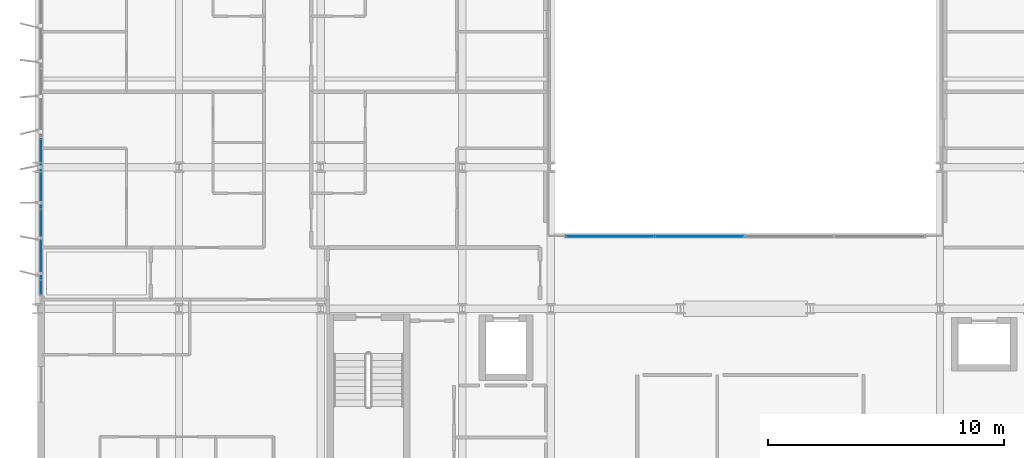
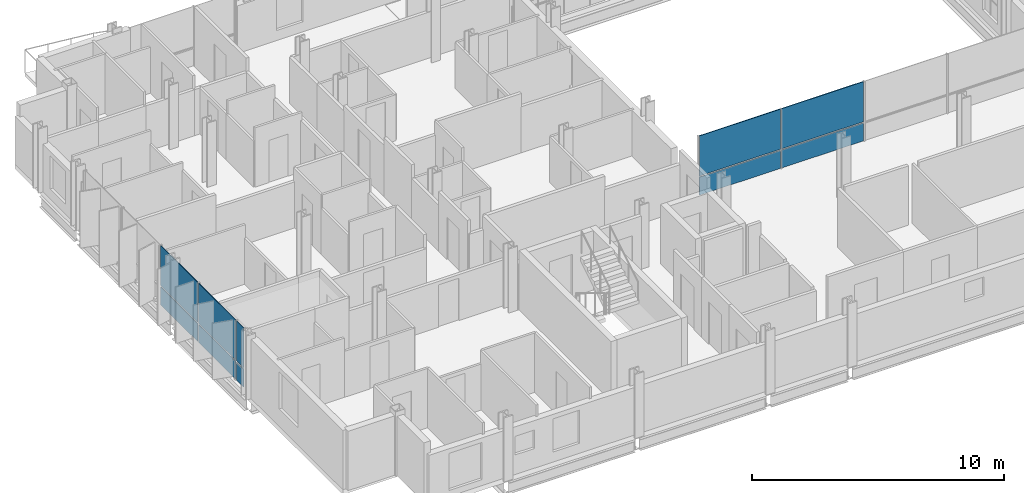
# One storey, part 22 of 39: 10 plates, 2 elements without a shape of their own.
"""IFC4 building model written with IfcOpenShell, lengths in metres."""

import ifcopenshell
import ifcopenshell.guid

model = None  # the IFC model being written
_history = None  # IfcOwnerHistory: only IFC2X3 demands one
_inside = {}  # id of a spatial element -> (the spatial element, [elements in it])
_under = {}  # id of a project, library or spatial element -> (it, [spatial elements below it])
_declared = {}  # id of a project -> (the project, [libraries it declares])
_typed = {}  # id of a type object -> (the type object, [elements of that type])
_made_of = {}  # id of a material, layer set ... -> (it, [elements and type objects made of it])


def new_model(schema):
    """Start an empty IFC model of exactly this schema.

    Asked for "IFC4X3", IfcOpenShell would pick the latest addendum, in which some entities
    have other attributes; the version numbers below select the first issue.
    IFC2X3 requires an IfcOwnerHistory on every rooted entity: one is made here for all.
    """
    global model, _history
    if schema == "IFC4X3":
        model = ifcopenshell.file(schema_version=(4, 3, 0, 0))
    else:
        model = ifcopenshell.file(schema=schema)
    _inside.clear()
    _under.clear()
    _declared.clear()
    _typed.clear()
    _made_of.clear()
    _history = None
    if model.schema == "IFC2X3":
        org = make("IfcOrganization", Name="unknown")
        user = make(
            "IfcPersonAndOrganization",
            ThePerson=make("IfcPerson", FamilyName="unknown"),
            TheOrganization=org,
        )
        app = make(
            "IfcApplication",
            ApplicationDeveloper=org,
            Version="unknown",
            ApplicationFullName="unknown",
            ApplicationIdentifier="unknown",
        )
        _history = make(
            "IfcOwnerHistory",
            OwningUser=user,
            OwningApplication=app,
            ChangeAction="ADDED",
            CreationDate=0,
        )
    return model


def make(cls, **values):
    """One entity of the class cls with the attributes given. An attribute that is None is left unset."""
    return model.create_entity(
        cls, **{name: value for name, value in values.items() if value is not None}
    )


def rooted(cls, **values):
    """An entity with a GlobalId (a new one), such as an element, a storey or a relation."""
    return make(cls, GlobalId=ifcopenshell.guid.new(), OwnerHistory=_history, **values)


def si_unit(unit_type, name, prefix=None):
    """IfcSIUnit, for example si_unit("LENGTHUNIT", "METRE", prefix="MILLI")."""
    return make("IfcSIUnit", UnitType=unit_type, Prefix=prefix, Name=name)


def assignment(units):
    """IfcUnitAssignment: the units of a project."""
    return None if units is None else make("IfcUnitAssignment", Units=units)


def point(xyz):
    """IfcCartesianPoint."""
    return None if xyz is None else make("IfcCartesianPoint", Coordinates=xyz)


def direction(xyz):
    """IfcDirection."""
    return None if xyz is None else make("IfcDirection", DirectionRatios=xyz)


def frame(location, z_axis=None, x_axis=None):
    """IfcAxis2Placement3D, a coordinate frame: its origin and axes. An axis left out is left unset."""
    return make(
        "IfcAxis2Placement3D",
        Location=point(location),
        Axis=direction(z_axis),
        RefDirection=direction(x_axis),
    )


def frame_2d(location, x_axis=None):
    """IfcAxis2Placement2D, a coordinate frame in the plane: its origin and x axis."""
    return make(
        "IfcAxis2Placement2D", Location=point(location), RefDirection=direction(x_axis)
    )


def origin():
    """The frame at (0, 0, 0) with its axes left unset."""
    return frame((0.0, 0.0, 0.0))


def origin_2d():
    """The frame at (0, 0) in the plane with its x axis left unset."""
    return frame_2d((0.0, 0.0))


def place(relative_to, where):
    """IfcLocalPlacement: puts the frame where relative to a parent placement (None: the world)."""
    return make(
        "IfcLocalPlacement", PlacementRelTo=relative_to, RelativePlacement=where
    )


def context(
    kind, dimensions, precision=None, world=None, true_north=None, identifier=None
):
    """IfcGeometricRepresentationContext, for example the 3D "Model" context."""
    return make(
        "IfcGeometricRepresentationContext",
        ContextIdentifier=identifier,
        ContextType=kind,
        CoordinateSpaceDimension=dimensions,
        Precision=precision,
        WorldCoordinateSystem=world,
        TrueNorth=true_north,
    )


def subcontext(parent, identifier, kind, view, scale=None):
    """IfcGeometricRepresentationSubContext, for example "Body" below "Model"."""
    return make(
        "IfcGeometricRepresentationSubContext",
        ContextIdentifier=identifier,
        ContextType=kind,
        ParentContext=parent,
        TargetScale=scale,
        TargetView=view,
    )


def project(units=None, contexts=None):
    """IfcProject with its units and contexts."""
    return rooted(
        "IfcProject",
        Name="project",
        RepresentationContexts=contexts,
        UnitsInContext=assignment(units),
    )


def spatial(cls, under=None, at=None, **own):
    """A site, building, storey or space (cls), placed at a placement, below another one or the project."""
    s = rooted(cls, ObjectPlacement=at, **own)
    if under is not None:
        _under.setdefault(under.id(), (under, []))[1].append(s)
    return s


def profile(cls, at=None, kind="AREA", **sizes):
    """A parametric profile (cls). Its sizes go by their IFC names, for example OverallWidth=200.0."""
    return make(cls, ProfileType=kind, Position=at, **sizes)


def rectangle(**sizes):
    """IfcRectangleProfileDef."""
    return profile("IfcRectangleProfileDef", **sizes)


def extrude(swept, where, along, depth):
    """IfcExtrudedAreaSolid: the profile swept, set in the frame where, extruded along a direction by depth."""
    return make(
        "IfcExtrudedAreaSolid",
        SweptArea=swept,
        Position=where,
        ExtrudedDirection=direction(along),
        Depth=depth,
    )


def shape(context_of_items, identifier, shape_type, items):
    """IfcShapeRepresentation: the items that make up one representation, for example the "Body"."""
    return make(
        "IfcShapeRepresentation",
        ContextOfItems=context_of_items,
        RepresentationIdentifier=identifier,
        RepresentationType=shape_type,
        Items=items,
    )


def material(Name=None, Category=None):
    """IfcMaterial."""
    return make("IfcMaterial", Name=Name, Category=Category)


def layer(
    of_material, thickness, ventilated=None, Name=None, Category=None, Priority=None
):
    """IfcMaterialLayer: one layer of a wall or slab, of a material (None: an air gap)."""
    return make(
        "IfcMaterialLayer",
        Material=of_material,
        LayerThickness=thickness,
        IsVentilated=ventilated,
        Name=Name,
        Category=Category,
        Priority=Priority,
    )


def layer_set(layers, Name=None):
    """IfcMaterialLayerSet."""
    return make("IfcMaterialLayerSet", MaterialLayers=layers, LayerSetName=Name)


def made_of(thing, what):
    """Note that an element or type object is made of a material, layer set ...; save() writes the relation."""
    if what is not None:
        _made_of.setdefault(what.id(), (what, []))[1].append(thing)
    return thing


def type_object(cls, material=None, **own):
    """A type object (cls), such as IfcWallType, which elements share."""
    return made_of(rooted(cls, **own), material)


def element(
    cls,
    number,
    at=None,
    inside=None,
    cuts=None,
    type_object=None,
    material=None,
    context=None,
    identifier="Body",
    shape_type=None,
    held_by="IfcProductDefinitionShape",
    body=None,
    shapes=None,
    **own,
):
    """One element of the class cls, such as IfcWall. Its Tag is "e" and its number.

    at: its placement. inside: the storey or other place that contains it. cuts: it is an
    opening in that element (IfcRelVoidsElement). A single representation is given by context,
    identifier, shape_type and body (its items); several are given by shapes. held_by: the class
    of the entity that holds the representations. save() writes the other relations.
    """
    e = rooted(cls, Tag="e%d" % number, ObjectPlacement=at, **own)
    if body is not None:
        shapes = [shape(context, identifier, shape_type, body)]
    if shapes is not None:
        e.Representation = make(held_by, Representations=shapes)
    if inside is not None:
        _inside.setdefault(inside.id(), (inside, []))[1].append(e)
    if cuts is not None:
        rooted(
            "IfcRelVoidsElement", RelatingBuildingElement=cuts, RelatedOpeningElement=e
        )
    if type_object is not None:
        _typed.setdefault(type_object.id(), (type_object, []))[1].append(e)
    return made_of(e, material)


def aggregate(whole, parts):
    """IfcRelAggregates: a whole, such as a stair, and the parts it consists of."""
    return rooted("IfcRelAggregates", RelatingObject=whole, RelatedObjects=parts)


def save(model, path):
    """Write the relations noted so far, then the file.

    IfcRelAggregates (storeys below a building ...), IfcRelContainedInSpatialStructure (elements
    in a storey), IfcRelDefinesByType, IfcRelAssociatesMaterial and IfcRelDeclares: one each for
    every whole, place, type object, material and project.
    """
    for whole, parts in _under.values():
        aggregate(whole, parts)
    for where, things in _inside.values():
        rooted(
            "IfcRelContainedInSpatialStructure",
            RelatedElements=things,
            RelatingStructure=where,
        )
    for kind, things in _typed.values():
        rooted("IfcRelDefinesByType", RelatedObjects=things, RelatingType=kind)
    for what, things in _made_of.values():
        rooted("IfcRelAssociatesMaterial", RelatedObjects=things, RelatingMaterial=what)
    for by, libraries in _declared.values():
        rooted("IfcRelDeclares", RelatingContext=by, RelatedDefinitions=libraries)
    model.write(path)


model = new_model("IFC4")

# Units and contexts
model_context = context("Model", 3, precision=1e-05, world=origin(), true_north=direction((0.0, 1.0)))
body_context = subcontext(model_context, "Body", "Model", "MODEL_VIEW")
ifc_project = project(units=[si_unit("LENGTHUNIT", "METRE"), si_unit("AREAUNIT", "SQUARE_METRE"), si_unit("VOLUMEUNIT", "CUBIC_METRE"), si_unit("PLANEANGLEUNIT", "RADIAN"), si_unit("MASSUNIT", "GRAM", prefix="KILO")], contexts=[model_context])

# Site, building, storey
site_placement = place(None, origin())
site = spatial("IfcSite", under=ifc_project, at=site_placement, CompositionType="ELEMENT")
building_placement = place(site_placement, origin())
building = spatial("IfcBuilding", under=site, at=building_placement, Name="Brevholm Reach", CompositionType="ELEMENT")
storey_placement = place(building_placement, frame((0.0, 0.0, 77.60009765625)))
storey = spatial("IfcBuildingStorey", under=building, at=storey_placement, Name="L22", CompositionType="ELEMENT", Elevation=77.60009765625)

# Curtain wall, plates
ifc_material_1 = material(Name="Dark Anodised Aluminium 6063-T6 and Solar-Control Glass", Category="aluminium")
ifc_layer_1 = layer(ifc_material_1, 0.14990234375)
ifc_layer_set_1 = layer_set([ifc_layer_1], Name="Dark Anodised Aluminium 6063-T6 and Solar-Control Glass")
curtain_wall_type_1 = type_object("IfcCurtainWallType", Name="CW-01", PredefinedType="NOTDEFINED", material=ifc_layer_set_1)
curtain_wall_1_placement = place(storey_placement, origin())
curtain_wall_1 = element("IfcCurtainWall", 1, at=curtain_wall_1_placement, inside=storey, type_object=curtain_wall_type_1, Name="L22 Curtain Wall CW-01", PredefinedType="NOTDEFINED")
ifc_material_2 = material(Name="Dark Solar-Control Double-Glazed IGU Glass", Category="glass")
ifc_layer_2 = layer(ifc_material_2, 0.028076171875)
ifc_layer_set_2 = layer_set([ifc_layer_2], Name="Dark Solar-Control Double-Glazed IGU Glass")
plate_type_1 = type_object("IfcPlateType", Name="CWP-GLZ-28", PredefinedType="CURTAIN_PANEL", material=ifc_layer_set_2)
plate_1_placement = place(storey_placement, frame((0.14990234375, 15.719970703125, 0.0), z_axis=(0.0, 0.0, 1.0), x_axis=(0.0, -1.0, 0.0)))
plate_1 = element("IfcPlate", 2, at=plate_1_placement, type_object=plate_type_1, Name="CP-01 Glazing Panel 3.1", PredefinedType="CURTAIN_PANEL", context=body_context, shape_type="SweptSolid", body=[
    extrude(rectangle(XDim=2.93505859375, YDim=0.028076171875, at=origin_2d()), origin(), (0.0, 0.0, 1.0), 0.867431640625),
])
plate_2_placement = place(storey_placement, frame((0.14990234375, 15.719970703125, 0.932373046875), z_axis=(0.0, 0.0, 1.0), x_axis=(0.0, -1.0, 0.0)))
plate_2 = element("IfcPlate", 3, at=plate_2_placement, type_object=plate_type_1, Name="CP-01 Glazing Panel 3.2", PredefinedType="CURTAIN_PANEL", context=body_context, shape_type="SweptSolid", body=[
    extrude(rectangle(XDim=2.93505859375, YDim=0.028076171875, at=origin_2d()), origin(), (0.0, 0.0, 1.0), 1.9375),
])
plate_3_placement = place(storey_placement, frame((0.14990234375, 12.719970703125, 0.0), z_axis=(0.0, 0.0, 1.0), x_axis=(0.0, -1.0, 0.0)))
plate_3 = element("IfcPlate", 4, at=plate_3_placement, type_object=plate_type_1, Name="CP-01 Glazing Panel 4.1", PredefinedType="CURTAIN_PANEL", context=body_context, shape_type="SweptSolid", body=[
    extrude(rectangle(XDim=2.93505859375, YDim=0.028076171875, at=origin_2d()), origin(), (0.0, 0.0, 1.0), 0.867431640625),
])
plate_4_placement = place(storey_placement, frame((0.14990234375, 12.719970703125, 0.932373046875), z_axis=(0.0, 0.0, 1.0), x_axis=(0.0, -1.0, 0.0)))
plate_4 = element("IfcPlate", 5, at=plate_4_placement, type_object=plate_type_1, Name="CP-01 Glazing Panel 4.2", PredefinedType="CURTAIN_PANEL", context=body_context, shape_type="SweptSolid", body=[
    extrude(rectangle(XDim=2.93505859375, YDim=0.028076171875, at=origin_2d()), origin(), (0.0, 0.0, 1.0), 1.9375),
])
plate_5_placement = place(storey_placement, frame((0.14990234375, 10.9013671875, 0.0), z_axis=(0.0, 0.0, 1.0), x_axis=(0.0, -1.0, 0.0)))
plate_5 = element("IfcPlate", 6, at=plate_5_placement, type_object=plate_type_1, Name="CP-01 Glazing Panel 5.1", PredefinedType="CURTAIN_PANEL", context=body_context, shape_type="SweptSolid", body=[
    extrude(rectangle(XDim=0.572509765625, YDim=0.028076171875, at=origin_2d()), origin(), (0.0, 0.0, 1.0), 0.867431640625),
])
plate_6_placement = place(storey_placement, frame((0.14990234375, 10.9013671875, 0.932373046875), z_axis=(0.0, 0.0, 1.0), x_axis=(0.0, -1.0, 0.0)))
plate_6 = element("IfcPlate", 7, at=plate_6_placement, type_object=plate_type_1, Name="CP-01 Glazing Panel 5.2", PredefinedType="CURTAIN_PANEL", context=body_context, shape_type="SweptSolid", body=[
    extrude(rectangle(XDim=0.572509765625, YDim=0.028076171875, at=origin_2d()), origin(), (0.0, 0.0, 1.0), 1.9375),
])
aggregate(curtain_wall_1, [plate_1, plate_2, plate_3, plate_4, plate_5, plate_6])

ifc_material_3 = material(Name="Dark Anodised Aluminium 6063-T6 and Solar-Control Glass", Category="aluminium")
ifc_layer_3 = layer(ifc_material_3, 0.139892578125)
ifc_layer_set_3 = layer_set([ifc_layer_3], Name="Dark Anodised Aluminium 6063-T6 and Solar-Control Glass")
curtain_wall_type_2 = type_object("IfcCurtainWallType", Name="CW-02", PredefinedType="NOTDEFINED", material=ifc_layer_set_3)
curtain_wall_2_placement = place(storey_placement, origin())
curtain_wall_2 = element("IfcCurtainWall", 8, at=curtain_wall_2_placement, inside=storey, type_object=curtain_wall_type_2, Name="L22 Curtain Wall CW-02", PredefinedType="NOTDEFINED")
ifc_material_4 = material(Name="Low-Iron Laminated Acoustic Glass", Category="glass")
ifc_layer_4 = layer(ifc_material_4, 0.035888671875)
ifc_layer_set_4 = layer_set([ifc_layer_4], Name="Low-Iron Laminated Acoustic Glass")
plate_type_2 = type_object("IfcPlateType", Name="CWP-GLZ-36", PredefinedType="CURTAIN_PANEL", material=ifc_layer_set_4)
plate_7_placement = place(storey_placement, frame((24.264892578125, 13.080078125, -0.000244140625), z_axis=(0.0, 0.0, 1.0), x_axis=(1.0, 0.0, 0.0)))
plate_7 = element("IfcPlate", 9, at=plate_7_placement, type_object=plate_type_2, Name="CP-02 Glazing Panel 1.1", PredefinedType="CURTAIN_PANEL", context=body_context, shape_type="SweptSolid", body=[
    extrude(rectangle(XDim=3.7099609375, YDim=0.035888671875, at=origin_2d()), origin(), (0.0, 0.0, 1.0), 0.8701171875),
])
plate_8_placement = place(storey_placement, frame((24.264892578125, 13.080078125, 0.929931640625), z_axis=(0.0, 0.0, 1.0), x_axis=(1.0, 0.0, 0.0)))
plate_8 = element("IfcPlate", 10, at=plate_8_placement, type_object=plate_type_2, Name="CP-02 Glazing Panel 1.2", PredefinedType="CURTAIN_PANEL", context=body_context, shape_type="SweptSolid", body=[
    extrude(rectangle(XDim=3.7099609375, YDim=0.035888671875, at=origin_2d()), origin(), (0.0, 0.0, 1.0), 1.93994140625),
])
plate_9_placement = place(storey_placement, frame((28.050048828125, 13.080078125, -0.000244140625), z_axis=(0.0, 0.0, 1.0), x_axis=(1.0, 0.0, 0.0)))
plate_9 = element("IfcPlate", 11, at=plate_9_placement, type_object=plate_type_2, Name="CP-02 Glazing Panel 2.1", PredefinedType="CURTAIN_PANEL", context=body_context, shape_type="SweptSolid", body=[
    extrude(rectangle(XDim=3.739990234375, YDim=0.035888671875, at=origin_2d()), origin(), (0.0, 0.0, 1.0), 0.8701171875),
])
plate_10_placement = place(storey_placement, frame((28.050048828125, 13.080078125, 0.929931640625), z_axis=(0.0, 0.0, 1.0), x_axis=(1.0, 0.0, 0.0)))
plate_10 = element("IfcPlate", 12, at=plate_10_placement, type_object=plate_type_2, Name="CP-02 Glazing Panel 2.2", PredefinedType="CURTAIN_PANEL", context=body_context, shape_type="SweptSolid", body=[
    extrude(rectangle(XDim=3.739990234375, YDim=0.035888671875, at=origin_2d()), origin(), (0.0, 0.0, 1.0), 1.93994140625),
])
aggregate(curtain_wall_2, [plate_7, plate_8, plate_9, plate_10])

save(model, "model.ifc")
